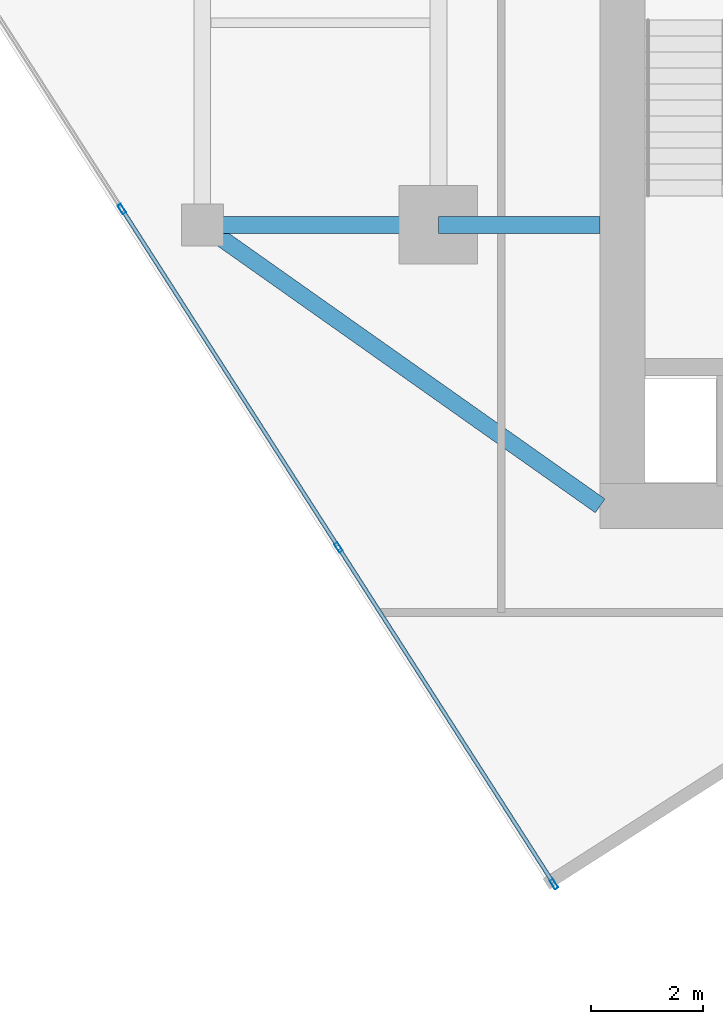
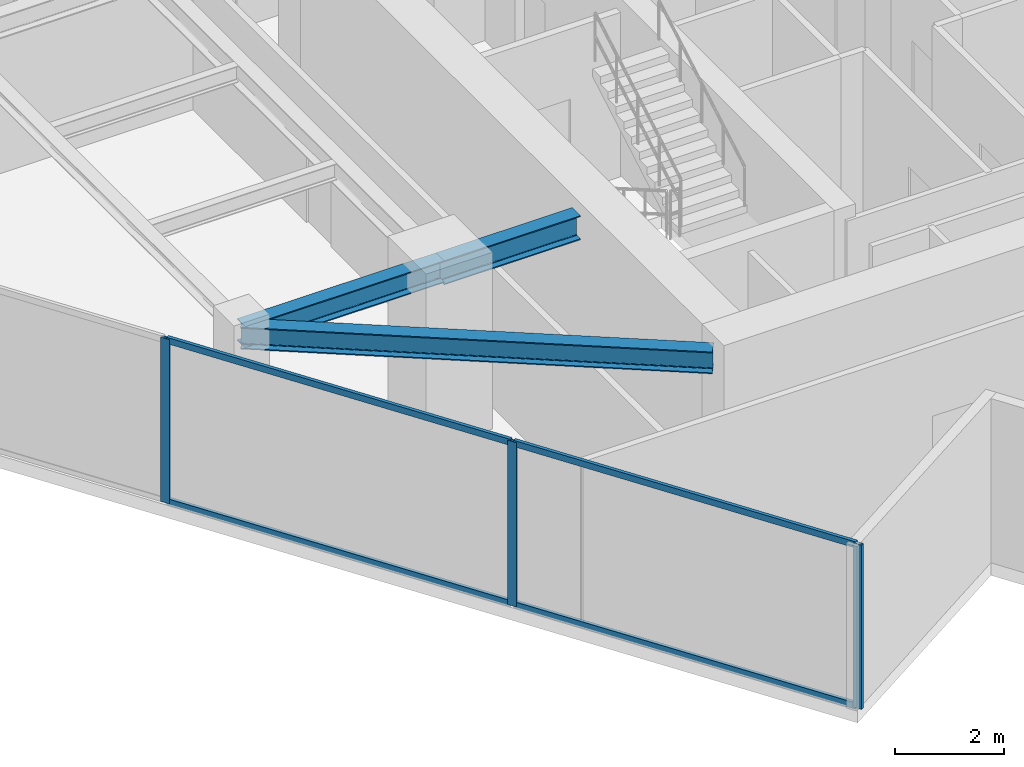
# One storey, part 2 of 20: 7 members, 3 beams, 1 element without a shape of its own.
"""IFC4 building model written with IfcOpenShell, lengths in metres."""

from ifc_helpers import new_model, si_unit, direction, frame, origin, origin_2d, place, context, subcontext, project, spatial, hollow_rectangle, i_section, extrude, source, transform, mapped, material, material_profile, profile_set, type_object, type_shapes, element, aggregate, save


model = new_model("IFC4")

# Units and contexts
model_context = context("Model", 3, precision=1e-05, world=origin(), true_north=direction((0.0, 1.0)))
body_context = subcontext(model_context, "Body", "Model", "MODEL_VIEW")
ifc_project = project(units=[si_unit("LENGTHUNIT", "METRE"), si_unit("AREAUNIT", "SQUARE_METRE"), si_unit("VOLUMEUNIT", "CUBIC_METRE"), si_unit("PLANEANGLEUNIT", "RADIAN"), si_unit("MASSUNIT", "GRAM", prefix="KILO")], contexts=[model_context])

# Site, building, storey
site_placement = place(None, origin())
site = spatial("IfcSite", under=ifc_project, at=site_placement, CompositionType="ELEMENT")
building_placement = place(site_placement, origin())
building = spatial("IfcBuilding", under=site, at=building_placement, Name="Krantzveldt Concourse Tower", CompositionType="ELEMENT")
storey_placement = place(building_placement, frame((0.0, 0.0, 283.199951171875)))
storey = spatial("IfcBuildingStorey", under=building, at=storey_placement, Name="L69", CompositionType="ELEMENT", Elevation=283.199951171875)

# Beams
ifc_material_1 = material(Name="Steel S355JR", Category="steel")
ifc_material_profile_1 = material_profile(ifc_material_1, i_section(OverallWidth=0.300048828125, OverallDepth=0.489990234375, WebThickness=0.011962890625, FlangeThickness=0.02294921875, FilletRadius=0.027099609375, at=origin_2d()), Name="Steel S355JR", Category="steel")
ifc_profile_set_1 = profile_set([ifc_material_profile_1], Name="Steel S355JR - HEA 500")
beam_type_1 = type_object("IfcBeamType", Name="BM-B-HEA500", PredefinedType="BEAM", material=ifc_profile_set_1)
shared_shape_1 = source(origin(), body_context, "Body", "SweptSolid", [
    extrude(i_section(OverallWidth=0.300048828125, OverallDepth=0.489990234375, WebThickness=0.011962890625, FlangeThickness=0.02294921875, FilletRadius=0.027099609375, at=origin_2d()), origin(), (0.0, 0.0, 1.0), 4.199951171875),
])
beam_1_placement = place(storey_placement, frame((21.0, 15.89990234375, 3.425048828125), z_axis=(1.0, 0.0, 0.0), x_axis=(0.0, 1.0, 0.0)))
element("IfcBeam", 1, at=beam_1_placement, inside=storey, type_object=beam_type_1, Name="L69 Tower Girder BR-RL1", PredefinedType="BEAM", context=body_context, shape_type="MappedRepresentation", body=[
    mapped(shared_shape_1, transform((0.0, 0.0, 0.0), x_axis=(1.0, 0.0, 0.0), y_axis=(0.0, 1.0, 0.0), z_axis=(0.0, 0.0, 1.0), scale=1.0)),
])
shared_shape_2 = source(origin(), body_context, "Body", "SweptSolid", [
    extrude(i_section(OverallWidth=0.300048828125, OverallDepth=0.489990234375, WebThickness=0.011962890625, FlangeThickness=0.02294921875, FilletRadius=0.027099609375, at=origin_2d()), origin(), (0.0, 0.0, 1.0), 8.667724609375),
])
type_shapes(beam_type_1, [shared_shape_1, shared_shape_2])
beam_2_placement = place(storey_placement, frame((21.0, 15.89990234375, 3.425048828125), z_axis=(0.81684294656, -0.576860122261, 0.0), x_axis=(0.576860122261, 0.81684294656, 0.0)))
element("IfcBeam", 2, at=beam_2_placement, inside=storey, type_object=beam_type_1, Name="L69 Tower Girder BR-CSW", PredefinedType="BEAM", context=body_context, shape_type="MappedRepresentation", body=[
    mapped(shared_shape_2, transform((0.0, 0.0, 0.0), x_axis=(1.0, 0.0, 0.0), y_axis=(0.0, 1.0, 0.0), z_axis=(0.0, 0.0, 1.0), scale=1.0)),
])
ifc_material_profile_2 = material_profile(ifc_material_1, i_section(OverallWidth=0.300048828125, OverallDepth=0.5400390625, WebThickness=0.012451171875, FlangeThickness=0.02392578125, FilletRadius=0.027099609375, at=origin_2d()), Name="Steel S355JR", Category="steel")
ifc_profile_set_2 = profile_set([ifc_material_profile_2], Name="Steel S355JR - HEA 550")
beam_type_2 = type_object("IfcBeamType", Name="BM-B-HEA550", PredefinedType="BEAM", material=ifc_profile_set_2)
shared_shape_3 = source(origin(), body_context, "Body", "SweptSolid", [
    extrude(i_section(OverallWidth=0.300048828125, OverallDepth=0.5400390625, WebThickness=0.012451171875, FlangeThickness=0.02392578125, FilletRadius=0.027099609375, at=origin_2d()), origin(), (0.0, 0.0, 1.0), 2.880126953125),
])
type_shapes(beam_type_2, [shared_shape_3])
beam_3_placement = place(storey_placement, frame((25.199951171875, 15.89990234375, 3.400146484375), z_axis=(1.0, 0.0, 0.0), x_axis=(0.0, 1.0, 0.0)))
element("IfcBeam", 3, at=beam_3_placement, inside=storey, type_object=beam_type_2, Name="L69 Tower Girder BG-CW1", PredefinedType="BEAM", context=body_context, shape_type="MappedRepresentation", body=[
    mapped(shared_shape_3, transform((0.0, 0.0, 0.0), x_axis=(1.0, 0.0, 0.0), y_axis=(0.0, 1.0, 0.0), z_axis=(0.0, 0.0, 1.0), scale=1.0)),
])

# Curtain wall, members
ifc_material_2 = material(Name="Anodised aluminium 6063-T6", Category="aluminium")
curtain_wall_type = type_object("IfcCurtainWallType", Name="CW4", PredefinedType="USERDEFINED", material=ifc_material_2)
curtain_wall_placement = place(storey_placement, origin())
curtain_wall = element("IfcCurtainWall", 4, at=curtain_wall_placement, inside=storey, type_object=curtain_wall_type, Name="CW-L69-F04", ObjectType="UNITISED CURTAIN WALL", PredefinedType="USERDEFINED")
ifc_material_profile_3 = material_profile(ifc_material_2, hollow_rectangle(XDim=0.070068359375, YDim=0.179931640625, WallThickness=0.0048828125, at=origin_2d()), Name="Anodised aluminium 6063-T6", Category="aluminium")
ifc_profile_set_3 = profile_set([ifc_material_profile_3], Name="Anodised aluminium 6063-T6 - ALU-MULL 180x70x5")
member_type_1 = type_object("IfcMemberType", Name="CW-MUL-180", PredefinedType="MULLION", material=ifc_profile_set_3)
shared_shape_4 = source(origin(), body_context, "Body", "SweptSolid", [
    extrude(hollow_rectangle(XDim=0.070068359375, YDim=0.179931640625, WallThickness=0.0048828125, at=origin_2d()), origin(), (0.0, 0.0, 1.0), 3.670166015625),
])
type_shapes(member_type_1, [shared_shape_4])
member_1_placement = place(storey_placement, frame((19.568359375, 16.181396484375, 0.0), z_axis=(0.0, 0.0, 1.0), x_axis=(0.842217243088, 0.53913830827, 0.0)))
member_1 = element("IfcMember", 5, at=member_1_placement, type_object=member_type_1, Name="CW-Z56 mullion 3", PredefinedType="MULLION", context=body_context, shape_type="MappedRepresentation", body=[
    mapped(shared_shape_4, transform((0.0, 0.0, 0.0), x_axis=(1.0, 0.0, 0.0), y_axis=(0.0, 1.0, 0.0), z_axis=(0.0, 0.0, 1.0), scale=1.0)),
])
member_2_placement = place(storey_placement, frame((23.423095703125, 10.15966796875, 0.0), z_axis=(0.0, 0.0, 1.0), x_axis=(0.842217243088, 0.53913830827, 0.0)))
member_2 = element("IfcMember", 6, at=member_2_placement, type_object=member_type_1, Name="CW-Z56 mullion 4", PredefinedType="MULLION", context=body_context, shape_type="MappedRepresentation", body=[
    mapped(shared_shape_4, transform((0.0, 0.0, 0.0), x_axis=(1.0, 0.0, 0.0), y_axis=(0.0, 1.0, 0.0), z_axis=(0.0, 0.0, 1.0), scale=1.0)),
])
member_3_placement = place(storey_placement, frame((27.259033203125, 4.167236328125, 0.0), z_axis=(0.0, 0.0, 1.0), x_axis=(0.842217243088, 0.53913830827, 0.0)))
member_3 = element("IfcMember", 7, at=member_3_placement, type_object=member_type_1, Name="CW-Z56 mullion 5", PredefinedType="MULLION", context=body_context, shape_type="MappedRepresentation", body=[
    mapped(shared_shape_4, transform((0.0, 0.0, 0.0), x_axis=(1.0, 0.0, 0.0), y_axis=(0.0, 1.0, 0.0), z_axis=(0.0, 0.0, 1.0), scale=1.0)),
])
ifc_material_profile_4 = material_profile(ifc_material_2, hollow_rectangle(XDim=0.070068359375, YDim=0.139892578125, WallThickness=0.0048828125, at=origin_2d()), Name="Anodised aluminium 6063-T6", Category="aluminium")
ifc_profile_set_4 = profile_set([ifc_material_profile_4], Name="Anodised aluminium 6063-T6 - ALU-TRAN 140x70x5")
member_type_2 = type_object("IfcMemberType", Name="CW-TRN-150", PredefinedType="USERDEFINED", material=ifc_profile_set_4)
shared_shape_5 = source(origin(), body_context, "Body", "SweptSolid", [
    extrude(hollow_rectangle(XDim=0.070068359375, YDim=0.139892578125, WallThickness=0.0048828125, at=origin_2d()), origin(), (0.0, 0.0, 1.0), 7.080078125),
])
member_4_placement = place(storey_placement, frame((19.587158203125, 16.15185546875, 0.03515625), z_axis=(0.539142738786, -0.842214406915, 0.0), x_axis=(0.842214406915, 0.539142738786, 0.0)))
member_4 = element("IfcMember", 8, at=member_4_placement, type_object=member_type_2, Name="CW-Z56 transom 3.1", ObjectType="TRANSOM", PredefinedType="USERDEFINED", context=body_context, shape_type="MappedRepresentation", body=[
    mapped(shared_shape_5, transform((0.0, 0.0, 0.0), x_axis=(1.0, 0.0, 0.0), y_axis=(0.0, 1.0, 0.0), z_axis=(0.0, 0.0, 1.0), scale=1.0)),
])
member_5_placement = place(storey_placement, frame((19.587158203125, 16.15185546875, 3.635009765625), z_axis=(0.539142738786, -0.842214406915, 0.0), x_axis=(0.842214406915, 0.539142738786, 0.0)))
member_5 = element("IfcMember", 9, at=member_5_placement, type_object=member_type_2, Name="CW-Z56 transom 3.2", ObjectType="TRANSOM", PredefinedType="USERDEFINED", context=body_context, shape_type="MappedRepresentation", body=[
    mapped(shared_shape_5, transform((0.0, 0.0, 0.0), x_axis=(1.0, 0.0, 0.0), y_axis=(0.0, 1.0, 0.0), z_axis=(0.0, 0.0, 1.0), scale=1.0)),
])
shared_shape_6 = source(origin(), body_context, "Body", "SweptSolid", [
    extrude(hollow_rectangle(XDim=0.070068359375, YDim=0.139892578125, WallThickness=0.0048828125, at=origin_2d()), origin(), (0.0, 0.0, 1.0), 7.045166015625),
])
type_shapes(member_type_2, [shared_shape_5, shared_shape_6])
member_6_placement = place(storey_placement, frame((23.442138671875, 10.130126953125, 0.03515625), z_axis=(0.539113680854, -0.842233007615, 0.0), x_axis=(0.842233007615, 0.539113680854, 0.0)))
member_6 = element("IfcMember", 10, at=member_6_placement, type_object=member_type_2, Name="CW-Z56 transom 4.1", ObjectType="TRANSOM", PredefinedType="USERDEFINED", context=body_context, shape_type="MappedRepresentation", body=[
    mapped(shared_shape_6, transform((0.0, 0.0, 0.0), x_axis=(1.0, 0.0, 0.0), y_axis=(0.0, 1.0, 0.0), z_axis=(0.0, 0.0, 1.0), scale=1.0)),
])
member_7_placement = place(storey_placement, frame((23.442138671875, 10.130126953125, 3.635009765625), z_axis=(0.539113680854, -0.842233007615, 0.0), x_axis=(0.842233007615, 0.539113680854, 0.0)))
member_7 = element("IfcMember", 11, at=member_7_placement, type_object=member_type_2, Name="CW-Z56 transom 4.2", ObjectType="TRANSOM", PredefinedType="USERDEFINED", context=body_context, shape_type="MappedRepresentation", body=[
    mapped(shared_shape_6, transform((0.0, 0.0, 0.0), x_axis=(1.0, 0.0, 0.0), y_axis=(0.0, 1.0, 0.0), z_axis=(0.0, 0.0, 1.0), scale=1.0)),
])
aggregate(curtain_wall, [member_1, member_2, member_3, member_4, member_5, member_6, member_7])

save(model, "model.ifc")
